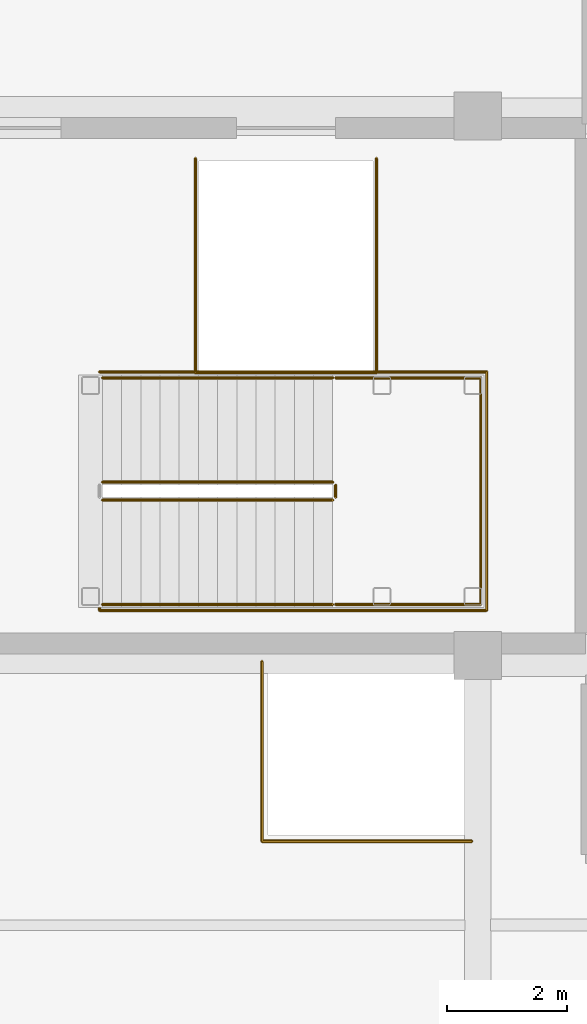
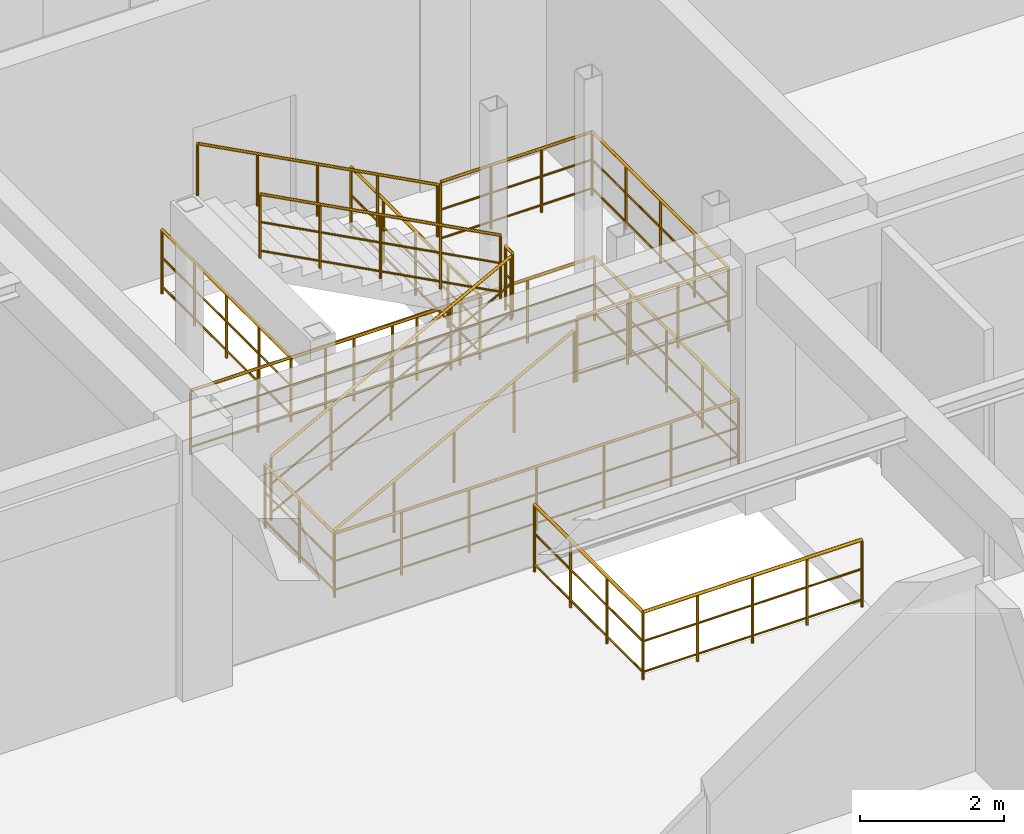
# One storey, part 126 of 133: 9 railings.
"""IFC4 building model written with IfcOpenShell, lengths in metres."""

from ifc_helpers import new_model, si_unit, direction, frame, origin, origin_2d, place, context, subcontext, project, spatial, circle, extrude, material, type_object, element, save


model = new_model("IFC4")

# Units and contexts
model_context = context("Model", 3, precision=1e-05, world=origin(), true_north=direction((0.0, 1.0)))
body_context = subcontext(model_context, "Body", "Model", "MODEL_VIEW")
ifc_project = project(units=[si_unit("LENGTHUNIT", "METRE"), si_unit("AREAUNIT", "SQUARE_METRE"), si_unit("VOLUMEUNIT", "CUBIC_METRE"), si_unit("PLANEANGLEUNIT", "RADIAN"), si_unit("MASSUNIT", "GRAM", prefix="KILO")], contexts=[model_context])

# Site, building, storey
site_placement = place(None, origin())
site = spatial("IfcSite", under=ifc_project, at=site_placement, CompositionType="ELEMENT")
building_placement = place(site_placement, origin())
building = spatial("IfcBuilding", under=site, at=building_placement, Name="Miravela Opera House", CompositionType="ELEMENT")
storey_placement = place(building_placement, frame((0.0, 0.0, 5.10009765625)))
storey = spatial("IfcBuildingStorey", under=building, at=storey_placement, Name="L01", CompositionType="ELEMENT", Elevation=5.10009765625)

# Railings
ifc_material_1 = material(Name="Brushed bronze continuous stair handrail")
railing_type_1 = type_object("IfcRailingType", Name="ARC-RAIL-HAND-900", PredefinedType="HANDRAIL", material=ifc_material_1)
railing_1_placement = place(storey_placement, frame((110.739990234375, 37.85009765625, 0.169921875)))
element("IfcRailing", 1, at=railing_1_placement, inside=storey, type_object=railing_type_1, Name="L01 ST-04 stair handrail 1", PredefinedType="HANDRAIL", context=body_context, shape_type="SweptSolid", body=[
    extrude(circle(Radius=0.02392578125, at=origin_2d()), frame((0.0, 0.0, 0.8759765625), z_axis=(0.883116446401, 0.0, 0.469153857596), x_axis=(0.0, 1.0, 0.0)), (0.0, 0.0, 1.0), 4.348388671875),
    extrude(circle(Radius=0.02099609375, at=origin_2d()), origin(), (0.0, 0.0, 1.0), 0.851806640625),
    extrude(circle(Radius=0.02099609375, at=origin_2d()), frame((0.9599609375, 0.0, 0.510009765625)), (0.0, 0.0, 1.0), 0.851806640625),
    extrude(circle(Radius=0.02099609375, at=origin_2d()), frame((1.919921875, 0.0, 1.02001953125)), (0.0, 0.0, 1.0), 0.851806640625),
    extrude(circle(Radius=0.02099609375, at=origin_2d()), frame((2.880126953125, 0.0, 1.530029296875)), (0.0, 0.0, 1.0), 0.851806640625),
    extrude(circle(Radius=0.02099609375, at=origin_2d()), frame((3.840087890625, 0.0, 2.0400390625)), (0.0, 0.0, 1.0), 0.851806640625),
])
railing_2_placement = place(storey_placement, frame((114.580078125, 41.6298828125, 2.3798828125)))
element("IfcRailing", 2, at=railing_2_placement, inside=storey, type_object=railing_type_1, Name="L01 ST-04 stair handrail 2", PredefinedType="HANDRAIL", context=body_context, shape_type="SweptSolid", body=[
    extrude(circle(Radius=0.02392578125, at=origin_2d()), frame((0.0, 0.0, 0.8759765625), z_axis=(-0.883116446401, 0.0, 0.469153857596), x_axis=(0.0, -1.0, 0.0)), (0.0, 0.0, 1.0), 4.348388671875),
    extrude(circle(Radius=0.02099609375, at=origin_2d()), origin(), (0.0, 0.0, 1.0), 0.851806640625),
    extrude(circle(Radius=0.02099609375, at=origin_2d()), frame((-0.9599609375, 0.0, 0.510009765625)), (0.0, 0.0, 1.0), 0.851806640625),
    extrude(circle(Radius=0.02099609375, at=origin_2d()), frame((-1.919921875, 0.0, 1.02001953125)), (0.0, 0.0, 1.0), 0.851806640625),
    extrude(circle(Radius=0.02099609375, at=origin_2d()), frame((-2.880126953125, 0.0, 1.530029296875)), (0.0, 0.0, 1.0), 0.851806640625),
    extrude(circle(Radius=0.02099609375, at=origin_2d()), frame((-3.840087890625, 0.0, 2.0400390625)), (0.0, 0.0, 1.0), 0.851806640625),
])
ifc_material_2 = material(Name="Painted wrought-iron stair guardrail")
railing_type_2 = type_object("IfcRailingType", Name="ARC-RAIL-STAIR-GUARD", PredefinedType="GUARDRAIL", material=ifc_material_2)
railing_3_placement = place(storey_placement, frame((110.739990234375, 39.590087890625, 0.169921875)))
element("IfcRailing", 3, at=railing_3_placement, inside=storey, type_object=railing_type_2, Name="L01 ST-04 stair guard 1", PredefinedType="GUARDRAIL", context=body_context, shape_type="SweptSolid", body=[
    extrude(circle(Radius=0.02392578125, at=origin_2d()), frame((0.0, 0.0, 1.076171875), z_axis=(0.883116446401, 0.0, 0.469153857596), x_axis=(0.0, 1.0, 0.0)), (0.0, 0.0, 1.0), 4.348388671875),
    extrude(circle(Radius=0.01611328125, at=origin_2d()), frame((0.0, 0.0, 0.60498046875), z_axis=(0.883116446401, 0.0, 0.469153857596), x_axis=(0.0, 1.0, 0.0)), (0.0, 0.0, 1.0), 4.348388671875),
    extrude(circle(Radius=0.01611328125, at=origin_2d()), frame((0.0, 0.0, 0.1201171875), z_axis=(0.883116446401, 0.0, 0.469153857596), x_axis=(0.0, 1.0, 0.0)), (0.0, 0.0, 1.0), 4.348388671875),
    extrude(circle(Radius=0.02099609375, at=origin_2d()), origin(), (0.0, 0.0, 1.0), 1.052001953125),
    extrude(circle(Radius=0.02099609375, at=origin_2d()), frame((0.9599609375, 0.0, 0.510009765625)), (0.0, 0.0, 1.0), 1.052001953125),
    extrude(circle(Radius=0.02099609375, at=origin_2d()), frame((1.919921875, 0.0, 1.02001953125)), (0.0, 0.0, 1.0), 1.052001953125),
    extrude(circle(Radius=0.02099609375, at=origin_2d()), frame((2.880126953125, 0.0, 1.530029296875)), (0.0, 0.0, 1.0), 1.052001953125),
    extrude(circle(Radius=0.02099609375, at=origin_2d()), frame((3.840087890625, 0.0, 2.0400390625)), (0.0, 0.0, 1.0), 1.052001953125),
])
railing_4_placement = place(storey_placement, frame((114.6298828125, 39.639892578125, 2.2099609375)))
element("IfcRailing", 4, at=railing_4_placement, inside=storey, type_object=railing_type_2, Name="L01 ST-04 stair guard 2", PredefinedType="GUARDRAIL", context=body_context, shape_type="SweptSolid", body=[
    extrude(circle(Radius=0.02392578125, at=origin_2d()), frame((0.0, 0.0, 1.076171875), z_axis=(0.0, 1.0, 0.0), x_axis=(-1.0, 0.0, 0.0)), (0.0, 0.0, 1.0), 0.2001953125),
    extrude(circle(Radius=0.01611328125, at=origin_2d()), frame((0.0, 0.0, 0.60498046875), z_axis=(0.0, 1.0, 0.0), x_axis=(-1.0, 0.0, 0.0)), (0.0, 0.0, 1.0), 0.2001953125),
    extrude(circle(Radius=0.01611328125, at=origin_2d()), frame((0.0, 0.0, 0.1201171875), z_axis=(0.0, 1.0, 0.0), x_axis=(-1.0, 0.0, 0.0)), (0.0, 0.0, 1.0), 0.2001953125),
    extrude(circle(Radius=0.02099609375, at=origin_2d()), origin(), (0.0, 0.0, 1.0), 1.052001953125),
    extrude(circle(Radius=0.02099609375, at=origin_2d()), frame((0.0, 0.2001953125, 0.0)), (0.0, 0.0, 1.0), 1.052001953125),
])
railing_5_placement = place(storey_placement, frame((114.580078125, 39.889892578125, 2.3798828125)))
element("IfcRailing", 5, at=railing_5_placement, inside=storey, type_object=railing_type_2, Name="L01 ST-04 stair guard 3", PredefinedType="GUARDRAIL", context=body_context, shape_type="SweptSolid", body=[
    extrude(circle(Radius=0.02392578125, at=origin_2d()), frame((0.0, 0.0, 1.076171875), z_axis=(-0.883116446401, 0.0, 0.469153857596), x_axis=(0.0, -1.0, 0.0)), (0.0, 0.0, 1.0), 4.348388671875),
    extrude(circle(Radius=0.01611328125, at=origin_2d()), frame((0.0, 0.0, 0.60498046875), z_axis=(-0.883116446401, 0.0, 0.469153857596), x_axis=(0.0, -1.0, 0.0)), (0.0, 0.0, 1.0), 4.348388671875),
    extrude(circle(Radius=0.01611328125, at=origin_2d()), frame((0.0, 0.0, 0.1201171875), z_axis=(-0.883116446401, 0.0, 0.469153857596), x_axis=(0.0, -1.0, 0.0)), (0.0, 0.0, 1.0), 4.348388671875),
    extrude(circle(Radius=0.02099609375, at=origin_2d()), origin(), (0.0, 0.0, 1.0), 1.052001953125),
    extrude(circle(Radius=0.02099609375, at=origin_2d()), frame((-0.9599609375, 0.0, 0.510009765625)), (0.0, 0.0, 1.0), 1.052001953125),
    extrude(circle(Radius=0.02099609375, at=origin_2d()), frame((-1.919921875, 0.0, 1.02001953125)), (0.0, 0.0, 1.0), 1.052001953125),
    extrude(circle(Radius=0.02099609375, at=origin_2d()), frame((-2.880126953125, 0.0, 1.530029296875)), (0.0, 0.0, 1.0), 1.052001953125),
    extrude(circle(Radius=0.02099609375, at=origin_2d()), frame((-3.840087890625, 0.0, 2.0400390625)), (0.0, 0.0, 1.0), 1.052001953125),
])
railing_6_placement = place(storey_placement, frame((114.6298828125, 37.85009765625, 2.2099609375)))
element("IfcRailing", 6, at=railing_6_placement, inside=storey, type_object=railing_type_2, Name="Stair ST-04 Half-Landing Perimeter Guard (L01) 0039", PredefinedType="GUARDRAIL", context=body_context, shape_type="SweptSolid", body=[
    extrude(circle(Radius=0.02392578125, at=origin_2d()), frame((0.0, 0.0, 1.076171875), z_axis=(1.0, 0.0, 0.0), x_axis=(0.0, 1.0, 0.0)), (0.0, 0.0, 1.0), 2.420166015625),
    extrude(circle(Radius=0.01611328125, at=origin_2d()), frame((0.0, 0.0, 0.60498046875), z_axis=(1.0, 0.0, 0.0), x_axis=(0.0, 1.0, 0.0)), (0.0, 0.0, 1.0), 2.420166015625),
    extrude(circle(Radius=0.01611328125, at=origin_2d()), frame((0.0, 0.0, 0.1201171875), z_axis=(1.0, 0.0, 0.0), x_axis=(0.0, 1.0, 0.0)), (0.0, 0.0, 1.0), 2.420166015625),
    extrude(circle(Radius=0.02392578125, at=origin_2d()), frame((2.420166015625, 0.0, 1.076171875), z_axis=(0.0, 1.0, 0.0), x_axis=(-1.0, 0.0, 0.0)), (0.0, 0.0, 1.0), 3.77978515625),
    extrude(circle(Radius=0.01611328125, at=origin_2d()), frame((2.420166015625, 0.0, 0.60498046875), z_axis=(0.0, 1.0, 0.0), x_axis=(-1.0, 0.0, 0.0)), (0.0, 0.0, 1.0), 3.77978515625),
    extrude(circle(Radius=0.01611328125, at=origin_2d()), frame((2.420166015625, 0.0, 0.1201171875), z_axis=(0.0, 1.0, 0.0), x_axis=(-1.0, 0.0, 0.0)), (0.0, 0.0, 1.0), 3.77978515625),
    extrude(circle(Radius=0.02392578125, at=origin_2d()), frame((2.420166015625, 3.77978515625, 1.076171875), z_axis=(-1.0, 0.0, 0.0), x_axis=(0.0, -1.0, 0.0)), (0.0, 0.0, 1.0), 2.420166015625),
    extrude(circle(Radius=0.01611328125, at=origin_2d()), frame((2.420166015625, 3.77978515625, 0.60498046875), z_axis=(-1.0, 0.0, 0.0), x_axis=(0.0, -1.0, 0.0)), (0.0, 0.0, 1.0), 2.420166015625),
    extrude(circle(Radius=0.01611328125, at=origin_2d()), frame((2.420166015625, 3.77978515625, 0.1201171875), z_axis=(-1.0, 0.0, 0.0), x_axis=(0.0, -1.0, 0.0)), (0.0, 0.0, 1.0), 2.420166015625),
    extrude(circle(Radius=0.02099609375, at=origin_2d()), origin(), (0.0, 0.0, 1.0), 1.052001953125),
    extrude(circle(Radius=0.02099609375, at=origin_2d()), frame((0.806640625, 0.0, 0.0)), (0.0, 0.0, 1.0), 1.052001953125),
    extrude(circle(Radius=0.02099609375, at=origin_2d()), frame((1.613525390625, 0.0, 0.0)), (0.0, 0.0, 1.0), 1.052001953125),
    extrude(circle(Radius=0.02099609375, at=origin_2d()), frame((2.420166015625, 0.0, 0.0)), (0.0, 0.0, 1.0), 1.052001953125),
    extrude(circle(Radius=0.02099609375, at=origin_2d()), frame((2.420166015625, 0.94482421875, 0.0)), (0.0, 0.0, 1.0), 1.052001953125),
    extrude(circle(Radius=0.02099609375, at=origin_2d()), frame((2.420166015625, 1.889892578125, 0.0)), (0.0, 0.0, 1.0), 1.052001953125),
    extrude(circle(Radius=0.02099609375, at=origin_2d()), frame((2.420166015625, 2.8349609375, 0.0)), (0.0, 0.0, 1.0), 1.052001953125),
    extrude(circle(Radius=0.02099609375, at=origin_2d()), frame((2.420166015625, 3.77978515625, 0.0)), (0.0, 0.0, 1.0), 1.052001953125),
    extrude(circle(Radius=0.02099609375, at=origin_2d()), frame((1.613525390625, 3.77978515625, 0.0)), (0.0, 0.0, 1.0), 1.052001953125),
    extrude(circle(Radius=0.02099609375, at=origin_2d()), frame((0.806640625, 3.77978515625, 0.0)), (0.0, 0.0, 1.0), 1.052001953125),
    extrude(circle(Radius=0.02099609375, at=origin_2d()), frame((0.0, 3.77978515625, 0.0)), (0.0, 0.0, 1.0), 1.052001953125),
])
railing_7_placement = place(storey_placement, frame((110.68994140625, 39.669921875, 0.0)))
element("IfcRailing", 7, at=railing_7_placement, inside=storey, type_object=railing_type_2, Name="Stair ST-04 Well Slab Opening Guard (L01) 0044", PredefinedType="GUARDRAIL", context=body_context, shape_type="SweptSolid", body=[
    extrude(circle(Radius=0.02392578125, at=origin_2d()), frame((0.0, 0.0, 1.076171875), z_axis=(0.0, -1.0, 0.0), x_axis=(1.0, 0.0, 0.0)), (0.0, 0.0, 1.0), 1.919921875),
    extrude(circle(Radius=0.01611328125, at=origin_2d()), frame((0.0, 0.0, 0.60498046875), z_axis=(0.0, -1.0, 0.0), x_axis=(1.0, 0.0, 0.0)), (0.0, 0.0, 1.0), 1.919921875),
    extrude(circle(Radius=0.01611328125, at=origin_2d()), frame((0.0, 0.0, 0.1201171875), z_axis=(0.0, -1.0, 0.0), x_axis=(1.0, 0.0, 0.0)), (0.0, 0.0, 1.0), 1.919921875),
    extrude(circle(Radius=0.02392578125, at=origin_2d()), frame((0.0, -1.919921875, 1.076171875), z_axis=(1.0, 0.0, 0.0), x_axis=(0.0, 1.0, 0.0)), (0.0, 0.0, 1.0), 6.4599609375),
    extrude(circle(Radius=0.01611328125, at=origin_2d()), frame((0.0, -1.919921875, 0.60498046875), z_axis=(1.0, 0.0, 0.0), x_axis=(0.0, 1.0, 0.0)), (0.0, 0.0, 1.0), 6.4599609375),
    extrude(circle(Radius=0.01611328125, at=origin_2d()), frame((0.0, -1.919921875, 0.1201171875), z_axis=(1.0, 0.0, 0.0), x_axis=(0.0, 1.0, 0.0)), (0.0, 0.0, 1.0), 6.4599609375),
    extrude(circle(Radius=0.02392578125, at=origin_2d()), frame((6.4599609375, -1.919921875, 1.076171875), z_axis=(0.0, 1.0, 0.0), x_axis=(-1.0, 0.0, 0.0)), (0.0, 0.0, 1.0), 3.97998046875),
    extrude(circle(Radius=0.01611328125, at=origin_2d()), frame((6.4599609375, -1.919921875, 0.60498046875), z_axis=(0.0, 1.0, 0.0), x_axis=(-1.0, 0.0, 0.0)), (0.0, 0.0, 1.0), 3.97998046875),
    extrude(circle(Radius=0.01611328125, at=origin_2d()), frame((6.4599609375, -1.919921875, 0.1201171875), z_axis=(0.0, 1.0, 0.0), x_axis=(-1.0, 0.0, 0.0)), (0.0, 0.0, 1.0), 3.97998046875),
    extrude(circle(Radius=0.02392578125, at=origin_2d()), frame((6.4599609375, 2.06005859375, 1.076171875), z_axis=(-1.0, 0.0, 0.0), x_axis=(0.0, -1.0, 0.0)), (0.0, 0.0, 1.0), 6.4599609375),
    extrude(circle(Radius=0.01611328125, at=origin_2d()), frame((6.4599609375, 2.06005859375, 0.60498046875), z_axis=(-1.0, 0.0, 0.0), x_axis=(0.0, -1.0, 0.0)), (0.0, 0.0, 1.0), 6.4599609375),
    extrude(circle(Radius=0.01611328125, at=origin_2d()), frame((6.4599609375, 2.06005859375, 0.1201171875), z_axis=(-1.0, 0.0, 0.0), x_axis=(0.0, -1.0, 0.0)), (0.0, 0.0, 1.0), 6.4599609375),
    extrude(circle(Radius=0.02099609375, at=origin_2d()), origin(), (0.0, 0.0, 1.0), 1.052001953125),
    extrude(circle(Radius=0.02099609375, at=origin_2d()), frame((0.0, -0.9599609375, 0.0)), (0.0, 0.0, 1.0), 1.052001953125),
    extrude(circle(Radius=0.02099609375, at=origin_2d()), frame((0.0, -1.919921875, 0.0)), (0.0, 0.0, 1.0), 1.052001953125),
    extrude(circle(Radius=0.02099609375, at=origin_2d()), frame((1.07666015625, -1.919921875, 0.0)), (0.0, 0.0, 1.0), 1.052001953125),
    extrude(circle(Radius=0.02099609375, at=origin_2d()), frame((2.1533203125, -1.919921875, 0.0)), (0.0, 0.0, 1.0), 1.052001953125),
    extrude(circle(Radius=0.02099609375, at=origin_2d()), frame((3.22998046875, -1.919921875, 0.0)), (0.0, 0.0, 1.0), 1.052001953125),
    extrude(circle(Radius=0.02099609375, at=origin_2d()), frame((4.306640625, -1.919921875, 0.0)), (0.0, 0.0, 1.0), 1.052001953125),
    extrude(circle(Radius=0.02099609375, at=origin_2d()), frame((5.38330078125, -1.919921875, 0.0)), (0.0, 0.0, 1.0), 1.052001953125),
    extrude(circle(Radius=0.02099609375, at=origin_2d()), frame((6.4599609375, -1.919921875, 0.0)), (0.0, 0.0, 1.0), 1.052001953125),
    extrude(circle(Radius=0.02099609375, at=origin_2d()), frame((6.4599609375, -0.9248046875, 0.0)), (0.0, 0.0, 1.0), 1.052001953125),
    extrude(circle(Radius=0.02099609375, at=origin_2d()), frame((6.4599609375, 0.070068359375, 0.0)), (0.0, 0.0, 1.0), 1.052001953125),
    extrude(circle(Radius=0.02099609375, at=origin_2d()), frame((6.4599609375, 1.06494140625, 0.0)), (0.0, 0.0, 1.0), 1.052001953125),
    extrude(circle(Radius=0.02099609375, at=origin_2d()), frame((6.4599609375, 2.06005859375, 0.0)), (0.0, 0.0, 1.0), 1.052001953125),
    extrude(circle(Radius=0.02099609375, at=origin_2d()), frame((5.38330078125, 2.06005859375, 0.0)), (0.0, 0.0, 1.0), 1.052001953125),
    extrude(circle(Radius=0.02099609375, at=origin_2d()), frame((4.306640625, 2.06005859375, 0.0)), (0.0, 0.0, 1.0), 1.052001953125),
    extrude(circle(Radius=0.02099609375, at=origin_2d()), frame((3.22998046875, 2.06005859375, 0.0)), (0.0, 0.0, 1.0), 1.052001953125),
    extrude(circle(Radius=0.02099609375, at=origin_2d()), frame((2.1533203125, 2.06005859375, 0.0)), (0.0, 0.0, 1.0), 1.052001953125),
    extrude(circle(Radius=0.02099609375, at=origin_2d()), frame((1.07666015625, 2.06005859375, 0.0)), (0.0, 0.0, 1.0), 1.052001953125),
    extrude(circle(Radius=0.02099609375, at=origin_2d()), frame((0.0, 2.06005859375, 0.0)), (0.0, 0.0, 1.0), 1.052001953125),
])
railing_8_placement = place(storey_placement, frame((112.2900390625, 45.2900390625, 0.0)))
element("IfcRailing", 8, at=railing_8_placement, inside=storey, type_object=railing_type_2, Name="Lift FL-02 Hoistway Slab Opening Guard (L01) 0130", PredefinedType="GUARDRAIL", context=body_context, shape_type="SweptSolid", body=[
    extrude(circle(Radius=0.02392578125, at=origin_2d()), frame((0.0, 0.0, 1.076171875), z_axis=(0.0, -1.0, 0.0), x_axis=(1.0, 0.0, 0.0)), (0.0, 0.0, 1.0), 3.574951171875),
    extrude(circle(Radius=0.01611328125, at=origin_2d()), frame((0.0, 0.0, 0.60498046875), z_axis=(0.0, -1.0, 0.0), x_axis=(1.0, 0.0, 0.0)), (0.0, 0.0, 1.0), 3.574951171875),
    extrude(circle(Radius=0.01611328125, at=origin_2d()), frame((0.0, 0.0, 0.1201171875), z_axis=(0.0, -1.0, 0.0), x_axis=(1.0, 0.0, 0.0)), (0.0, 0.0, 1.0), 3.574951171875),
    extrude(circle(Radius=0.02392578125, at=origin_2d()), frame((0.0, -3.574951171875, 1.076171875), z_axis=(1.0, 0.0, 0.0), x_axis=(0.0, 1.0, 0.0)), (0.0, 0.0, 1.0), 3.02001953125),
    extrude(circle(Radius=0.01611328125, at=origin_2d()), frame((0.0, -3.574951171875, 0.60498046875), z_axis=(1.0, 0.0, 0.0), x_axis=(0.0, 1.0, 0.0)), (0.0, 0.0, 1.0), 3.02001953125),
    extrude(circle(Radius=0.01611328125, at=origin_2d()), frame((0.0, -3.574951171875, 0.1201171875), z_axis=(1.0, 0.0, 0.0), x_axis=(0.0, 1.0, 0.0)), (0.0, 0.0, 1.0), 3.02001953125),
    extrude(circle(Radius=0.02392578125, at=origin_2d()), frame((3.02001953125, -3.574951171875, 1.076171875), z_axis=(0.0, 1.0, 0.0), x_axis=(-1.0, 0.0, 0.0)), (0.0, 0.0, 1.0), 3.574951171875),
    extrude(circle(Radius=0.01611328125, at=origin_2d()), frame((3.02001953125, -3.574951171875, 0.60498046875), z_axis=(0.0, 1.0, 0.0), x_axis=(-1.0, 0.0, 0.0)), (0.0, 0.0, 1.0), 3.574951171875),
    extrude(circle(Radius=0.01611328125, at=origin_2d()), frame((3.02001953125, -3.574951171875, 0.1201171875), z_axis=(0.0, 1.0, 0.0), x_axis=(-1.0, 0.0, 0.0)), (0.0, 0.0, 1.0), 3.574951171875),
    extrude(circle(Radius=0.02099609375, at=origin_2d()), origin(), (0.0, 0.0, 1.0), 1.052001953125),
    extrude(circle(Radius=0.02099609375, at=origin_2d()), frame((0.0, -0.893798828125, 0.0)), (0.0, 0.0, 1.0), 1.052001953125),
    extrude(circle(Radius=0.02099609375, at=origin_2d()), frame((0.0, -1.78759765625, 0.0)), (0.0, 0.0, 1.0), 1.052001953125),
    extrude(circle(Radius=0.02099609375, at=origin_2d()), frame((0.0, -2.68115234375, 0.0)), (0.0, 0.0, 1.0), 1.052001953125),
    extrude(circle(Radius=0.02099609375, at=origin_2d()), frame((0.0, -3.574951171875, 0.0)), (0.0, 0.0, 1.0), 1.052001953125),
    extrude(circle(Radius=0.02099609375, at=origin_2d()), frame((1.006591796875, -3.574951171875, 0.0)), (0.0, 0.0, 1.0), 1.052001953125),
    extrude(circle(Radius=0.02099609375, at=origin_2d()), frame((2.013427734375, -3.574951171875, 0.0)), (0.0, 0.0, 1.0), 1.052001953125),
    extrude(circle(Radius=0.02099609375, at=origin_2d()), frame((3.02001953125, -3.574951171875, 0.0)), (0.0, 0.0, 1.0), 1.052001953125),
    extrude(circle(Radius=0.02099609375, at=origin_2d()), frame((3.02001953125, -2.68115234375, 0.0)), (0.0, 0.0, 1.0), 1.052001953125),
    extrude(circle(Radius=0.02099609375, at=origin_2d()), frame((3.02001953125, -1.78759765625, 0.0)), (0.0, 0.0, 1.0), 1.052001953125),
    extrude(circle(Radius=0.02099609375, at=origin_2d()), frame((3.02001953125, -0.893798828125, 0.0)), (0.0, 0.0, 1.0), 1.052001953125),
    extrude(circle(Radius=0.02099609375, at=origin_2d()), frame((3.02001953125, 0.0, 0.0)), (0.0, 0.0, 1.0), 1.052001953125),
])
ifc_material_3 = material(Name="Spanish Colonial wrought-iron terrace guard")
railing_type_3 = type_object("IfcRailingType", Name="ARC-RAIL-TERR-GUARD", PredefinedType="GUARDRAIL", material=ifc_material_3)
railing_9_placement = place(storey_placement, frame((116.89990234375, 33.89990234375, 0.0)))
element("IfcRailing", 9, at=railing_9_placement, inside=storey, type_object=railing_type_3, Name="SLAB-L01-V4M2 Stepped Corner Guardrail 0181", PredefinedType="GUARDRAIL", context=body_context, shape_type="SweptSolid", body=[
    extrude(circle(Radius=0.02685546875, at=origin_2d()), frame((0.0, 0.0, 1.1328125), z_axis=(-1.0, 0.0, 0.0), x_axis=(0.0, -1.0, 0.0)), (0.0, 0.0, 1.0), 3.5),
    extrude(circle(Radius=0.01611328125, at=origin_2d()), frame((0.0, 0.0, 0.637939453125), z_axis=(-1.0, 0.0, 0.0), x_axis=(0.0, -1.0, 0.0)), (0.0, 0.0, 1.0), 3.5),
    extrude(circle(Radius=0.01611328125, at=origin_2d()), frame((0.0, 0.0, 0.1201171875), z_axis=(-1.0, 0.0, 0.0), x_axis=(0.0, -1.0, 0.0)), (0.0, 0.0, 1.0), 3.5),
    extrude(circle(Radius=0.02685546875, at=origin_2d()), frame((-3.5, 0.0, 1.1328125), z_axis=(0.0, 1.0, 0.0), x_axis=(-1.0, 0.0, 0.0)), (0.0, 0.0, 1.0), 3.0),
    extrude(circle(Radius=0.01611328125, at=origin_2d()), frame((-3.5, 0.0, 0.637939453125), z_axis=(0.0, 1.0, 0.0), x_axis=(-1.0, 0.0, 0.0)), (0.0, 0.0, 1.0), 3.0),
    extrude(circle(Radius=0.01611328125, at=origin_2d()), frame((-3.5, 0.0, 0.1201171875), z_axis=(0.0, 1.0, 0.0), x_axis=(-1.0, 0.0, 0.0)), (0.0, 0.0, 1.0), 3.0),
    extrude(circle(Radius=0.02099609375, at=origin_2d()), origin(), (0.0, 0.0, 1.0), 1.10595703125),
    extrude(circle(Radius=0.02099609375, at=origin_2d()), frame((-0.875, 0.0, 0.0)), (0.0, 0.0, 1.0), 1.10595703125),
    extrude(circle(Radius=0.02099609375, at=origin_2d()), frame((-1.75, 0.0, 0.0)), (0.0, 0.0, 1.0), 1.10595703125),
    extrude(circle(Radius=0.02099609375, at=origin_2d()), frame((-2.625, 0.0, 0.0)), (0.0, 0.0, 1.0), 1.10595703125),
    extrude(circle(Radius=0.02099609375, at=origin_2d()), frame((-3.5, 0.0, 0.0)), (0.0, 0.0, 1.0), 1.10595703125),
    extrude(circle(Radius=0.02099609375, at=origin_2d()), frame((-3.5, 1.0, 0.0)), (0.0, 0.0, 1.0), 1.10595703125),
    extrude(circle(Radius=0.02099609375, at=origin_2d()), frame((-3.5, 2.0, 0.0)), (0.0, 0.0, 1.0), 1.10595703125),
    extrude(circle(Radius=0.02099609375, at=origin_2d()), frame((-3.5, 3.0, 0.0)), (0.0, 0.0, 1.0), 1.10595703125),
])

save(model, "model.ifc")
